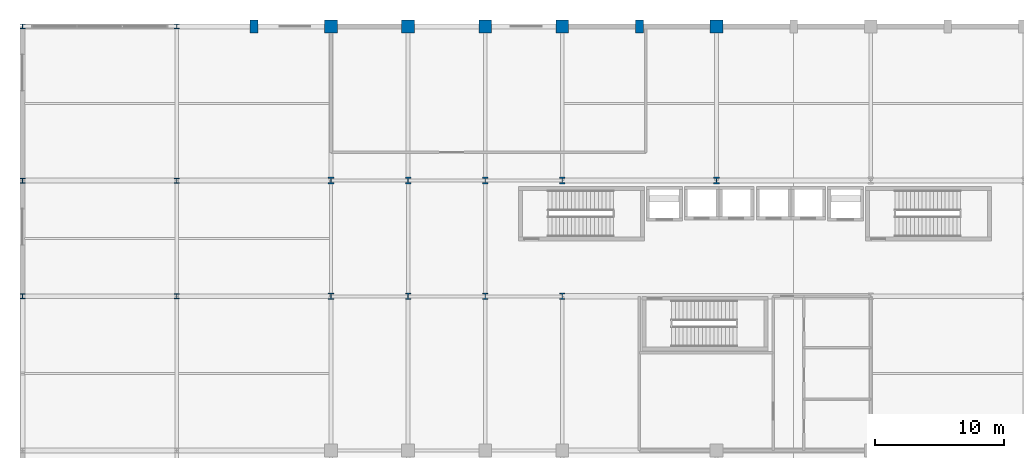
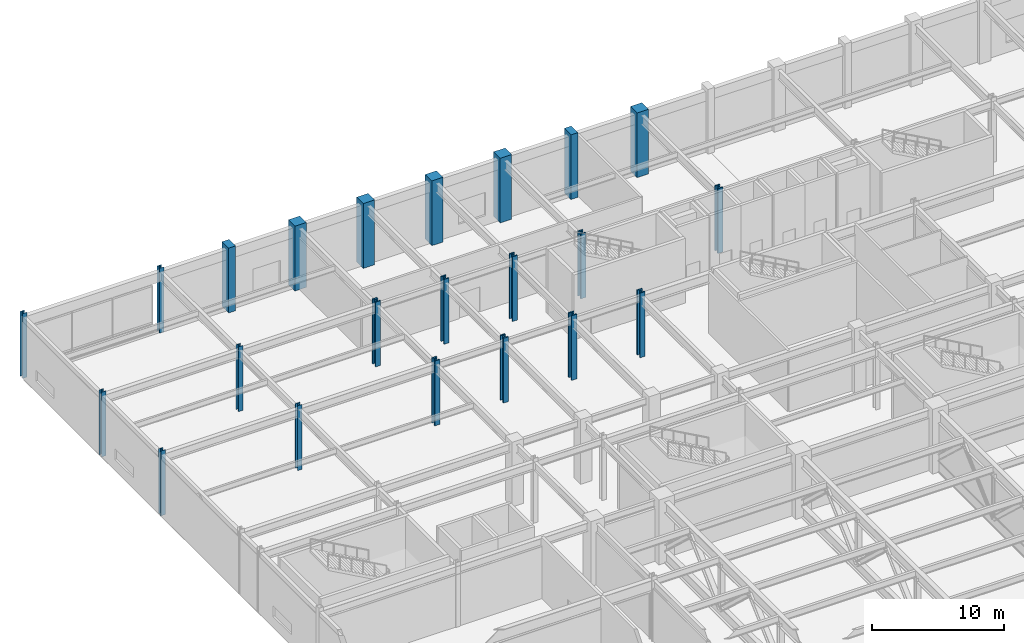
# One storey, part 9 of 108: 22 columns.
"""IFC4 building model written with IfcOpenShell, lengths in metres."""

from ifc_helpers import new_model, si_unit, direction, frame, origin, origin_2d, place, context, subcontext, project, spatial, rectangle, i_section, extrude, material, material_profile, profile_set, type_object, element, save


model = new_model("IFC4")

# Units and contexts
model_context = context("Model", 3, precision=1e-05, world=origin(), true_north=direction((0.0, 1.0)))
body_context = subcontext(model_context, "Body", "Model", "MODEL_VIEW")
ifc_project = project(units=[si_unit("LENGTHUNIT", "METRE"), si_unit("AREAUNIT", "SQUARE_METRE"), si_unit("VOLUMEUNIT", "CUBIC_METRE"), si_unit("PLANEANGLEUNIT", "RADIAN"), si_unit("MASSUNIT", "GRAM", prefix="KILO")], contexts=[model_context])

# Site, building, storey
site_placement = place(None, origin())
site = spatial("IfcSite", under=ifc_project, at=site_placement, CompositionType="ELEMENT")
building_placement = place(site_placement, origin())
building = spatial("IfcBuilding", under=site, at=building_placement, Name="Kaldorvane Square Convention Centre", CompositionType="ELEMENT")
storey_placement = place(building_placement, frame((0.0, 0.0, 12.0)))
storey = spatial("IfcBuildingStorey", under=building, at=storey_placement, Name="L02", CompositionType="ELEMENT", Elevation=12.0)

# Columns
ifc_material_1 = material(Name="Concrete f'c = 55 MPa (Normalweight)", Category="concrete")
ifc_material_profile_1 = material_profile(ifc_material_1, rectangle(XDim=1.0, YDim=1.0, at=origin_2d()), Name="RC1000X1000")
ifc_profile_set_1 = profile_set([ifc_material_profile_1], Name="Concrete f'c = 55 MPa (Normalweight)")
column_type_1 = type_object("IfcColumnType", Name="COL-RC-1000", PredefinedType="COLUMN", material=ifc_profile_set_1)
for number, where, z_axis, x_axis, name in (
    (1, (24.0, 117.0, 0.0), (0.0, 0.0, 1.0), (1.0, 0.0, 0.0), "Column CC-02 (L02)"),
    (2, (30.0, 117.0, 0.0), (0.0, 0.0, 1.0), (1.0, 0.0, 0.0), "Column CC-02 (L02)"),
    (3, (36.0, 117.0, 0.0), (0.0, 0.0, 1.0), (1.0, 0.0, 0.0), "Column CC-02 (L02)"),
    (4, (42.0, 117.0, 0.0), (0.0, 0.0, 1.0), (1.0, 0.0, 0.0), "Column CC-02 (L02)"),
    (5, (54.0, 117.0, 0.0), (0.0, 0.0, 1.0), (1.0, 0.0, 0.0), "Column CC-02 (L02)"),
):
    element("IfcColumn", number, at=place(storey_placement, frame(where, z_axis=z_axis, x_axis=x_axis)), inside=storey, type_object=column_type_1, Name=name, PredefinedType="COLUMN", context=body_context, shape_type="SweptSolid", body=[
        extrude(rectangle(XDim=1.0, YDim=1.0, at=origin_2d()), origin(), (0.0, 0.0, 1.0), 6.0),
    ])
ifc_material_2 = material(Name="Steel ASTM A992 Gr. 50", Category="steel")
ifc_material_profile_2 = material_profile(ifc_material_2, i_section(OverallWidth=0.393707275390625, OverallDepth=0.375396728515625, WebThickness=0.017303466796875, FlangeThickness=0.0276947021484375, FilletRadius=0.0305023193359375, at=origin_2d()), Name="W14X145")
ifc_profile_set_2 = profile_set([ifc_material_profile_2], Name="Steel ASTM A992 Gr. 50")
column_type_2 = type_object("IfcColumnType", Name="COL-STL-145", PredefinedType="COLUMN", material=ifc_profile_set_2)
for number, where, z_axis, x_axis, name in (
    (6, (0.0, 96.0, 0.0), (0.0, 0.0, 1.0), (1.0, 0.0, 0.0), "Column SC-10 (L02)"),
    (7, (0.0, 105.0, 0.0), (0.0, 0.0, 1.0), (1.0, 0.0, 0.0), "Column SC-10 (L02)"),
    (8, (0.0, 117.0, 0.0), (0.0, 0.0, 1.0), (1.0, 0.0, 0.0), "Column SC-10 (L02)"),
    (9, (12.0, 96.0, 0.0), (0.0, 0.0, 1.0), (1.0, 0.0, 0.0), "Column SC-10 (L02)"),
    (10, (12.0, 105.0, 0.0), (0.0, 0.0, 1.0), (1.0, 0.0, 0.0), "Column SC-10 (L02)"),
    (11, (12.0, 117.0, 0.0), (0.0, 0.0, 1.0), (1.0, 0.0, 0.0), "Column SC-10 (L02)"),
):
    element("IfcColumn", number, at=place(storey_placement, frame(where, z_axis=z_axis, x_axis=x_axis)), inside=storey, type_object=column_type_2, Name=name, PredefinedType="COLUMN", context=body_context, shape_type="SweptSolid", body=[
        extrude(i_section(OverallWidth=0.393707275390625, OverallDepth=0.375396728515625, WebThickness=0.017303466796875, FlangeThickness=0.0276947021484375, FilletRadius=0.0305023193359375, at=origin_2d()), origin(), (0.0, 0.0, 1.0), 6.0),
    ])
ifc_material_profile_3 = material_profile(ifc_material_2, i_section(OverallWidth=0.4420013427734375, OverallDepth=0.531402587890625, WebThickness=0.0657958984375, FlangeThickness=0.1056976318359375, FilletRadius=0.0305023193359375, at=origin_2d()), Name="W14X605")
ifc_profile_set_3 = profile_set([ifc_material_profile_3], Name="Steel ASTM A992 Gr. 50")
column_type_3 = type_object("IfcColumnType", Name="COL-STL-605", PredefinedType="COLUMN", material=ifc_profile_set_3)
for number, where, z_axis, x_axis, name in (
    (12, (24.0, 96.0, 0.0), (0.0, 0.0, 1.0), (1.0, 0.0, 0.0), "Column SC-02 (L02)"),
    (13, (24.0, 105.0, 0.0), (0.0, 0.0, 1.0), (1.0, 0.0, 0.0), "Column SC-02 (L02)"),
    (14, (30.0, 96.0, 0.0), (0.0, 0.0, 1.0), (1.0, 0.0, 0.0), "Column SC-02 (L02)"),
    (15, (30.0, 105.0, 0.0), (0.0, 0.0, 1.0), (1.0, 0.0, 0.0), "Column SC-02 (L02)"),
    (16, (36.0, 96.0, 0.0), (0.0, 0.0, 1.0), (1.0, 0.0, 0.0), "Column SC-02 (L02)"),
    (17, (36.0, 105.0, 0.0), (0.0, 0.0, 1.0), (1.0, 0.0, 0.0), "Column SC-02 (L02)"),
    (18, (42.0, 96.0, 0.0), (0.0, 0.0, 1.0), (1.0, 0.0, 0.0), "Column SC-02 (L02)"),
    (19, (42.0, 105.0, 0.0), (0.0, 0.0, 1.0), (1.0, 0.0, 0.0), "Column SC-02 (L02)"),
    (20, (54.0, 105.0, 0.0), (0.0, 0.0, 1.0), (1.0, 0.0, 0.0), "Column SC-02 (L02)"),
):
    element("IfcColumn", number, at=place(storey_placement, frame(where, z_axis=z_axis, x_axis=x_axis)), inside=storey, type_object=column_type_3, Name=name, PredefinedType="COLUMN", context=body_context, shape_type="SweptSolid", body=[
        extrude(i_section(OverallWidth=0.4420013427734375, OverallDepth=0.531402587890625, WebThickness=0.0657958984375, FlangeThickness=0.1056976318359375, FilletRadius=0.0305023193359375, at=origin_2d()), origin(), (0.0, 0.0, 1.0), 6.0),
    ])
ifc_material_profile_4 = material_profile(ifc_material_1, rectangle(XDim=0.600006103515625, YDim=1.0, at=origin_2d()), Name="PIL1000X600")
ifc_profile_set_4 = profile_set([ifc_material_profile_4], Name="Concrete f'c = 55 MPa (Normalweight)")
column_type_4 = type_object("IfcColumnType", Name="PIL-BRUT-1000", PredefinedType="PILASTER", material=ifc_profile_set_4)
for number, where, z_axis, x_axis, name in (
    (21, (18.0, 117.0, 0.0), (0.0, 0.0, 1.0), (1.0, 0.0, 0.0), "Brutalist Colonnade Pilaster (L02)"),
    (22, (48.0, 117.0, 0.0), (0.0, 0.0, 1.0), (1.0, 0.0, 0.0), "Brutalist Colonnade Pilaster (L02)"),
):
    element("IfcColumn", number, at=place(storey_placement, frame(where, z_axis=z_axis, x_axis=x_axis)), inside=storey, type_object=column_type_4, Name=name, PredefinedType="PILASTER", context=body_context, shape_type="SweptSolid", body=[
        extrude(rectangle(XDim=0.600006103515625, YDim=1.0, at=origin_2d()), origin(), (0.0, 0.0, 1.0), 6.0),
    ])

save(model, "model.ifc")
